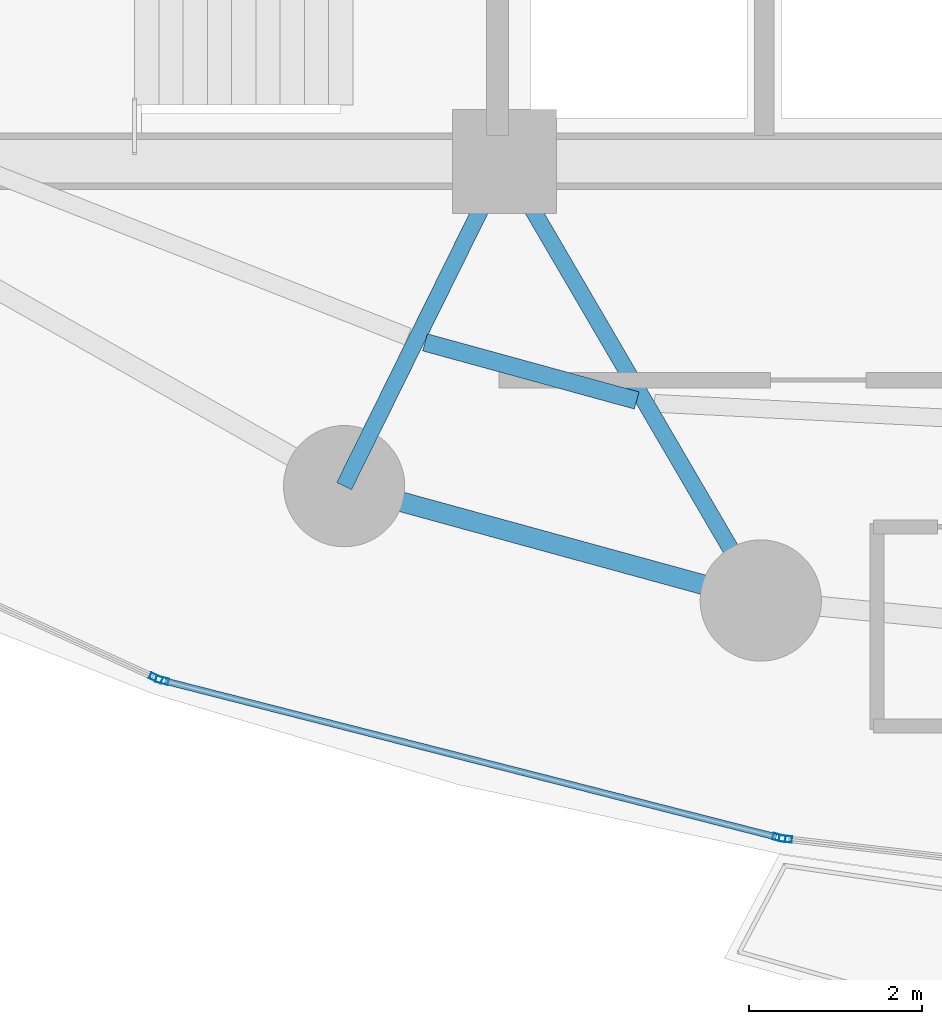
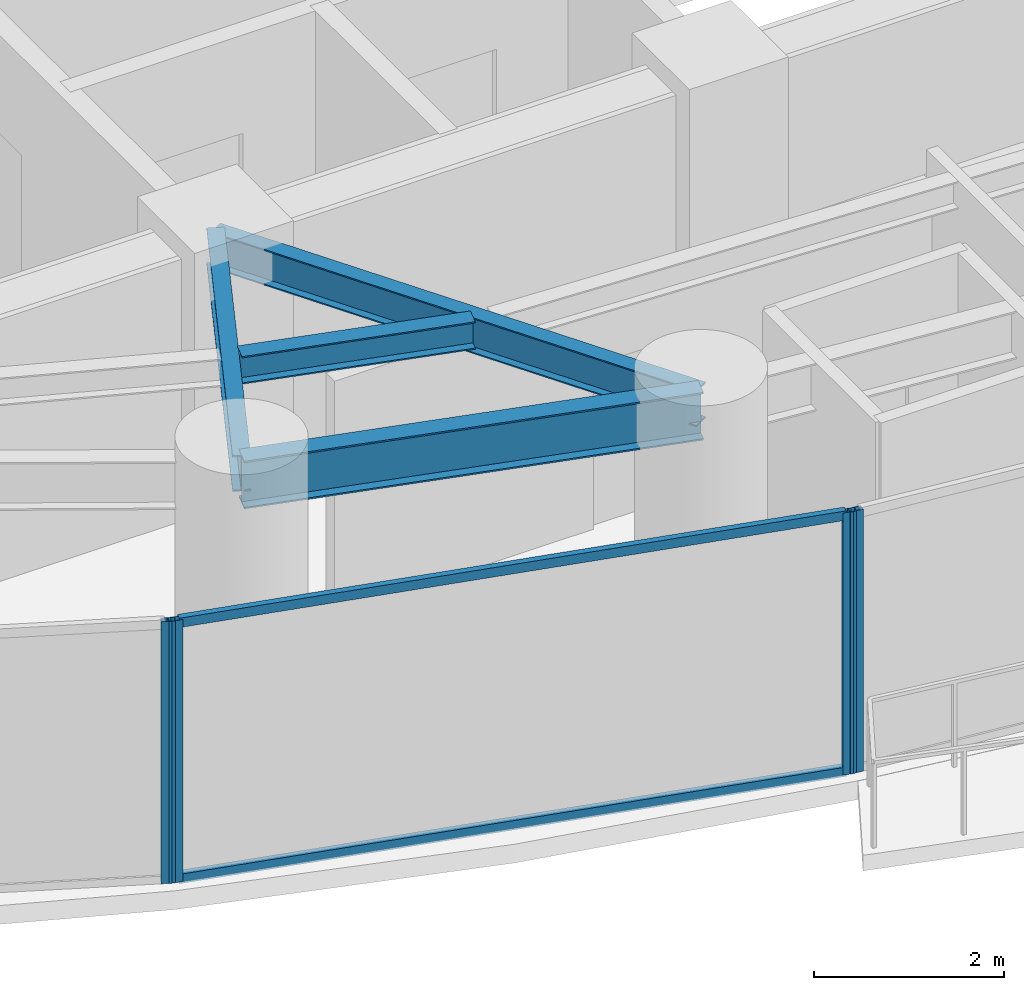
# One storey, part 5 of 32: 6 members, 4 beams, 3 elements without a shape of their own.
"""IFC4 building model written with IfcOpenShell, lengths in metres."""

from ifc_helpers import new_model, si_unit, direction, frame, origin, origin_2d, place, context, subcontext, project, spatial, hollow_rectangle, i_section, extrude, material, layer, layer_set, material_profile, profile_set, type_object, element, aggregate, save


model = new_model("IFC4")

# Units and contexts
model_context = context("Model", 3, precision=1e-05, world=origin(), true_north=direction((0.0, 1.0)))
body_context = subcontext(model_context, "Body", "Model", "MODEL_VIEW")
ifc_project = project(units=[si_unit("LENGTHUNIT", "METRE"), si_unit("AREAUNIT", "SQUARE_METRE"), si_unit("VOLUMEUNIT", "CUBIC_METRE"), si_unit("PLANEANGLEUNIT", "RADIAN"), si_unit("MASSUNIT", "GRAM", prefix="KILO")], contexts=[model_context])

# Site, building, storey
site_placement = place(None, origin())
site = spatial("IfcSite", under=ifc_project, at=site_placement, CompositionType="ELEMENT")
building_placement = place(site_placement, origin())
building = spatial("IfcBuilding", under=site, at=building_placement, Name="Kazevale Care Tower and Concert Hall", CompositionType="ELEMENT")
storey_placement = place(building_placement, frame((0.0, 0.0, 38.39990234375)))
storey = spatial("IfcBuildingStorey", under=building, at=storey_placement, Name="L09", CompositionType="ELEMENT", Elevation=38.39990234375)

# Curtain wall, member
ifc_material_1 = material(Name="Aluminium 6063-T6 and Low-E Glass", Category="aluminium")
ifc_layer = layer(ifc_material_1, 0.179931640625)
ifc_layer_set = layer_set([ifc_layer], Name="Aluminium 6063-T6 and Low-E Glass")
curtain_wall_type = type_object("IfcCurtainWallType", Name="Sheltered Concave Balcony Curtain Wall CW-5", PredefinedType="NOTDEFINED", material=ifc_layer_set)
curtain_wall_1_placement = place(storey_placement, origin())
curtain_wall_1 = element("IfcCurtainWall", 1, at=curtain_wall_1_placement, inside=storey, type_object=curtain_wall_type, Name="cw:L09:f07", PredefinedType="NOTDEFINED")
ifc_material_2 = material(Name="Aluminium 6063-T6", Category="aluminium")
ifc_material_profile_1 = material_profile(ifc_material_2, hollow_rectangle(XDim=0.074951171875, YDim=0.14990234375, WallThickness=0.00390625, at=origin_2d()), Name="ALU75x150x4")
ifc_profile_set_1 = profile_set([ifc_material_profile_1], Name="Aluminium 6063-T6")
member_type_1 = type_object("IfcMemberType", Name="CW-5 Mullion ALU75x150x4", PredefinedType="MULLION", material=ifc_profile_set_1)
member_1_placement = place(storey_placement, frame((33.245361328125, 15.77783203125, 0.0), z_axis=(0.0, 0.0, 1.0), x_axis=(-0.113704773808, -0.993514581883, 0.0)))
member_1 = element("IfcMember", 2, at=member_1_placement, type_object=member_type_1, Name="CW-5 mullion 2", PredefinedType="MULLION", context=body_context, shape_type="SweptSolid", body=[
    extrude(hollow_rectangle(XDim=0.074951171875, YDim=0.14990234375, WallThickness=0.00390625, at=origin_2d()), origin(), (0.0, 0.0, 1.0), 3.360107421875),
])
aggregate(curtain_wall_1, [member_1])

# Curtain wall, members
curtain_wall_2_placement = place(storey_placement, origin())
curtain_wall_2 = element("IfcCurtainWall", 3, at=curtain_wall_2_placement, inside=storey, type_object=curtain_wall_type, Name="cw:L09:f08", PredefinedType="NOTDEFINED")
member_2_placement = place(storey_placement, frame((33.171630859375, 15.791259765625, 0.0), z_axis=(0.0, 0.0, 1.0), x_axis=(-0.247221864936, -0.968958899798, 0.0)))
member_2 = element("IfcMember", 4, at=member_2_placement, type_object=member_type_1, Name="CW-5 mullion 1", PredefinedType="MULLION", context=body_context, shape_type="SweptSolid", body=[
    extrude(hollow_rectangle(XDim=0.074951171875, YDim=0.14990234375, WallThickness=0.00390625, at=origin_2d()), origin(), (0.0, 0.0, 1.0), 3.360107421875),
])
member_3_placement = place(storey_placement, frame((26.04833984375, 17.608642578125, 0.0), z_axis=(0.0, 0.0, 1.0), x_axis=(-0.247221864936, -0.968958899798, 0.0)))
member_3 = element("IfcMember", 5, at=member_3_placement, type_object=member_type_1, Name="CW-5 mullion 2", PredefinedType="MULLION", context=body_context, shape_type="SweptSolid", body=[
    extrude(hollow_rectangle(XDim=0.074951171875, YDim=0.14990234375, WallThickness=0.00390625, at=origin_2d()), origin(), (0.0, 0.0, 1.0), 3.360107421875),
])

# Curtain wall, member
curtain_wall_3_placement = place(storey_placement, origin())
curtain_wall_3 = element("IfcCurtainWall", 6, at=curtain_wall_3_placement, inside=storey, type_object=curtain_wall_type, Name="cw:L09:f09", PredefinedType="NOTDEFINED")
member_4_placement = place(storey_placement, frame((25.977783203125, 17.633544921875, 0.0), z_axis=(0.0, 0.0, 1.0), x_axis=(-0.415659767773, -0.909520179795, 0.0)))
member_4 = element("IfcMember", 7, at=member_4_placement, type_object=member_type_1, Name="CW-5 mullion 1", PredefinedType="MULLION", context=body_context, shape_type="SweptSolid", body=[
    extrude(hollow_rectangle(XDim=0.074951171875, YDim=0.14990234375, WallThickness=0.00390625, at=origin_2d()), origin(), (0.0, 0.0, 1.0), 3.360107421875),
])
aggregate(curtain_wall_3, [member_4])

# Member
ifc_material_profile_2 = material_profile(ifc_material_2, hollow_rectangle(XDim=0.074951171875, YDim=0.1201171875, WallThickness=0.00390625, at=origin_2d()), Name="ALU75x120x4")
ifc_profile_set_2 = profile_set([ifc_material_profile_2], Name="Aluminium 6063-T6")
member_type_2 = type_object("IfcMemberType", Name="CW-5 Transom ALU75x120x4", PredefinedType="USERDEFINED", material=ifc_profile_set_2)
member_5_placement = place(storey_placement, frame((33.13525390625, 15.800537109375, 0.03759765625), z_axis=(-0.968960816419, 0.24721435283, 0.0), x_axis=(-0.24721435283, -0.968960816419, 0.0)))
member_5 = element("IfcMember", 8, at=member_5_placement, type_object=member_type_2, Name="CW-5 transom 1.1", ObjectType="TRANSOM", PredefinedType="USERDEFINED", context=body_context, shape_type="SweptSolid", body=[
    extrude(hollow_rectangle(XDim=0.074951171875, YDim=0.1201171875, WallThickness=0.00390625, at=origin_2d()), origin(), (0.0, 0.0, 1.0), 7.2763671875),
])

member_6_placement = place(storey_placement, frame((33.13525390625, 15.800537109375, 3.322509765625), z_axis=(-0.968960816419, 0.24721435283, 0.0), x_axis=(-0.24721435283, -0.968960816419, 0.0)))
member_6 = element("IfcMember", 9, at=member_6_placement, type_object=member_type_2, Name="CW-5 transom 1.2", ObjectType="TRANSOM", PredefinedType="USERDEFINED", context=body_context, shape_type="SweptSolid", body=[
    extrude(hollow_rectangle(XDim=0.074951171875, YDim=0.1201171875, WallThickness=0.00390625, at=origin_2d()), origin(), (0.0, 0.0, 1.0), 7.2763671875),
])

aggregate(curtain_wall_2, [member_2, member_3, member_5, member_6])

# Beams
ifc_material_3 = material(Name="Steel ASTM A572 Gr 50", Category="steel")
ifc_material_profile_3 = material_profile(ifc_material_3, i_section(OverallWidth=0.19091796875, OverallDepth=0.4599609375, WebThickness=0.010009765625, FlangeThickness=0.01611328125, at=origin_2d()), Name="W460x82")
ifc_profile_set_3 = profile_set([ifc_material_profile_3], Name="Steel ASTM A572 Gr 50")
beam_type_1 = type_object("IfcBeamType", Name="Radial Floor Beam W460x82", PredefinedType="BEAM", material=ifc_profile_set_3)
beam_1_placement = place(storey_placement, frame((30.0, 23.60009765625, 3.130126953125), z_axis=(-0.442443019162, -0.896796618412, 0.0), x_axis=(0.896796618412, -0.442443019162, 0.0)))
element("IfcBeam", 10, at=beam_1_placement, inside=storey, type_object=beam_type_1, Name="beam:L09:rad:11", PredefinedType="BEAM", context=body_context, shape_type="SweptSolid", body=[
    extrude(i_section(OverallWidth=0.19091796875, OverallDepth=0.4599609375, WebThickness=0.010009765625, FlangeThickness=0.01611328125, at=origin_2d()), origin(), (0.0, 0.0, 1.0), 4.181640625),
])
beam_2_placement = place(storey_placement, frame((30.0, 23.60009765625, 3.130126953125), z_axis=(0.50417868077, -0.86359936189, 0.0), x_axis=(0.86359936189, 0.50417868077, 0.0)))
element("IfcBeam", 11, at=beam_2_placement, inside=storey, type_object=beam_type_1, Name="beam:L09:rad:12", PredefinedType="BEAM", context=body_context, shape_type="SweptSolid", body=[
    extrude(i_section(OverallWidth=0.19091796875, OverallDepth=0.4599609375, WebThickness=0.010009765625, FlangeThickness=0.01611328125, at=origin_2d()), origin(), (0.0, 0.0, 1.0), 5.870849609375),
])
ifc_material_profile_4 = material_profile(ifc_material_3, i_section(OverallWidth=0.22900390625, OverallDepth=0.612060546875, WebThickness=0.011962890625, FlangeThickness=0.01953125, at=origin_2d()), Name="W610x125")
ifc_profile_set_4 = profile_set([ifc_material_profile_4], Name="Steel ASTM A572 Gr 50")
beam_type_2 = type_object("IfcBeamType", Name="Ring Spandrel Beam W610x125", PredefinedType="SPANDREL", material=ifc_profile_set_4)
beam_3_placement = place(storey_placement, frame((28.14990234375, 19.85009765625, 3.05419921875), z_axis=(0.964343540473, -0.264653615031, 0.0), x_axis=(0.264653615031, 0.964343540473, 0.0)))
element("IfcBeam", 12, at=beam_3_placement, inside=storey, type_object=beam_type_2, Name="beam:L09:ring:11", PredefinedType="SPANDREL", context=body_context, shape_type="SweptSolid", body=[
    extrude(i_section(OverallWidth=0.22900390625, OverallDepth=0.612060546875, WebThickness=0.011962890625, FlangeThickness=0.01953125, at=origin_2d()), origin(), (0.0, 0.0, 1.0), 4.98779296875),
])
ifc_material_profile_5 = material_profile(ifc_material_3, i_section(OverallWidth=0.205078125, OverallDepth=0.35400390625, WebThickness=0.009521484375, FlangeThickness=0.016845703125, at=origin_2d()), Name="W360x79")
ifc_profile_set_5 = profile_set([ifc_material_profile_5], Name="Steel ASTM A572 Gr 50")
beam_type_3 = type_object("IfcBeamType", Name="Secondary Floor Joist W360x79", PredefinedType="JOIST", material=ifc_profile_set_5)
beam_4_placement = place(storey_placement, frame((29.083984375, 21.510009765625, 3.18310546875), z_axis=(0.964302027389, -0.264804833743, 0.0), x_axis=(0.264804833743, 0.964302027389, 0.0)))
element("IfcBeam", 13, at=beam_4_placement, inside=storey, type_object=beam_type_3, Name="beam:L09:joist:11", PredefinedType="JOIST", context=body_context, shape_type="SweptSolid", body=[
    extrude(i_section(OverallWidth=0.205078125, OverallDepth=0.35400390625, WebThickness=0.009521484375, FlangeThickness=0.016845703125, at=origin_2d()), origin(), (0.0, 0.0, 1.0), 2.533447265625),
])

save(model, "model.ifc")
